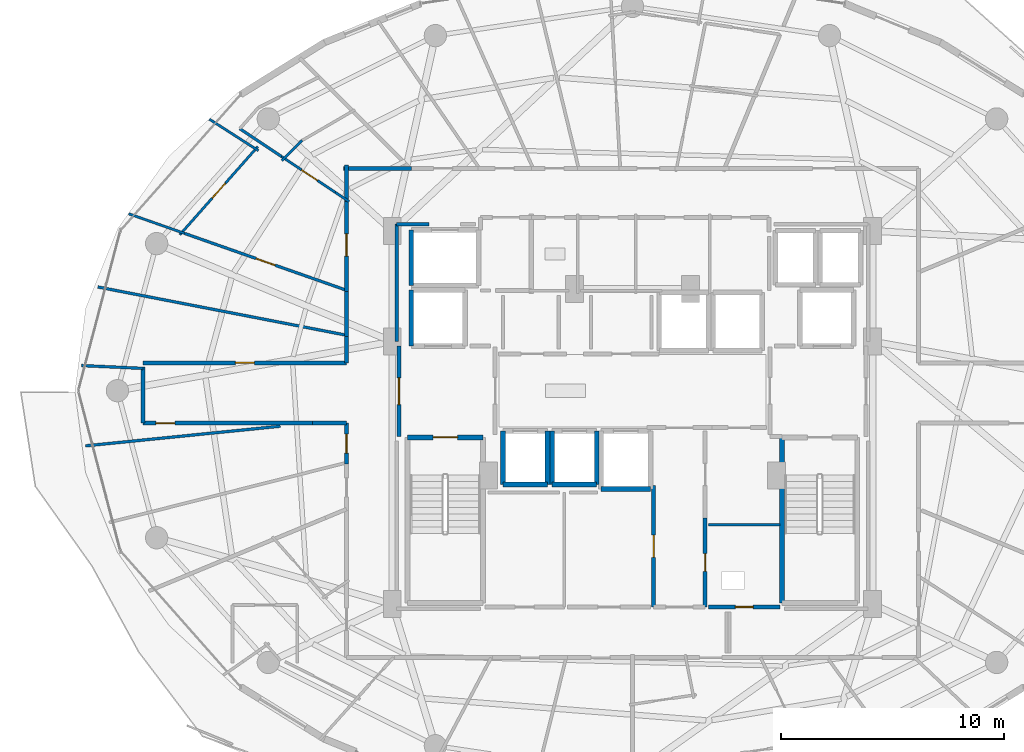
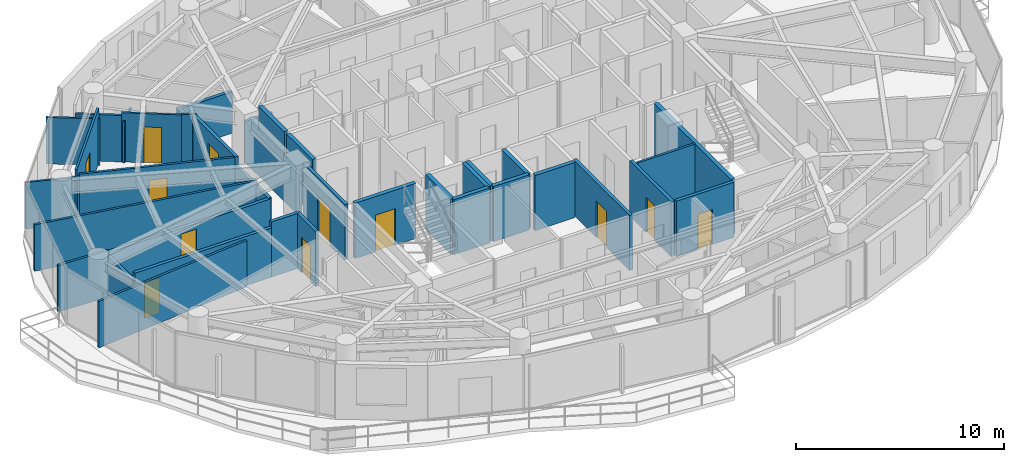
# One storey, part 21 of 28: 39 walls, 12 doors, 12 openings.
"""IFC4 building model written with IfcOpenShell, lengths in metres."""

from ifc_helpers import new_model, si_unit, direction, frame, frame_2d, origin, place, context, subcontext, project, spatial, rectangle, extrude, material, layer, layer_set, type_object, element, fill, save


model = new_model("IFC4")

# Units and contexts
model_context = context("Model", 3, precision=1e-05, world=origin(), true_north=direction((0.0, 1.0)))
body_context = subcontext(model_context, "Body", "Model", "MODEL_VIEW")
ifc_project = project(units=[si_unit("LENGTHUNIT", "METRE"), si_unit("AREAUNIT", "SQUARE_METRE"), si_unit("VOLUMEUNIT", "CUBIC_METRE"), si_unit("PLANEANGLEUNIT", "RADIAN"), si_unit("MASSUNIT", "GRAM", prefix="KILO")], contexts=[model_context])

# Site, building, storey
site_placement = place(None, origin())
site = spatial("IfcSite", under=ifc_project, at=site_placement, CompositionType="ELEMENT")
building_placement = place(site_placement, origin())
building = spatial("IfcBuilding", under=site, at=building_placement, Name="Vorneva Point Tower", CompositionType="ELEMENT")
storey_placement = place(building_placement, frame((0.0, 0.0, 160.60009765625)))
storey = spatial("IfcBuildingStorey", under=building, at=storey_placement, Name="L43", CompositionType="ELEMENT", Elevation=160.60009765625)

# Wall
ifc_material_1 = material(Name="Concrete B60 (C50/60)", Category="concrete")
ifc_layer_1 = layer(ifc_material_1, 0.5)
ifc_layer_set_1 = layer_set([ifc_layer_1], Name="Concrete B60 (C50/60)")
wall_type_1 = type_object("IfcWallType", Name="WL-CORE-500", PredefinedType="SHEAR", material=ifc_layer_set_1)
wall_1_placement = place(storey_placement, frame((28.10009765625, 30.5, 0.0), z_axis=(0.0, 0.0, 1.0), x_axis=(0.0, -1.0, 0.0)))
element("IfcWall", 1, at=wall_1_placement, inside=storey, type_object=wall_type_1, Name="L43 Lift FFL1 Shaft Wall -X", PredefinedType="SHEAR", context=body_context, shape_type="SweptSolid", body=[
    extrude(rectangle(XDim=2.5, YDim=0.219970703125, at=frame_2d((1.25, 0.0))), origin(), (0.0, 0.0, 1.0), 3.239990234375),
])

# Wall, opening, door
ifc_material_2 = material(Name="Fire-rated acoustic gypsum stud partition", Category="gypsum")
ifc_layer_2 = layer(ifc_material_2, 0.110107421875)
ifc_layer_set_2 = layer_set([ifc_layer_2], Name="Fire-rated acoustic gypsum stud partition")
wall_type_2 = type_object("IfcWallType", Name="WL-PART-110", PredefinedType="PARTITIONING", material=ifc_layer_set_2)
wall_2_placement = place(storey_placement, frame((24.789794921875, 34.814697265625, 0.0), z_axis=(0.0, 0.0, 1.0), x_axis=(-0.831749793219, 0.555150683581, 0.0)))
wall_2 = element("IfcWall", 2, at=wall_2_placement, inside=storey, type_object=wall_type_2, Name="L43 Interior Partition 086", PredefinedType="PARTITIONING", context=body_context, shape_type="SweptSolid", body=[
    extrude(rectangle(XDim=3.0009765625, YDim=0.110107421875, at=frame_2d((1.50048828125, 0.0))), origin(), (0.0, 0.0, 1.0), 2.885986328125),
])
opening_1_placement = place(wall_2_placement, frame((1.068115234375, 0.0, 0.0)))
opening_1 = element("IfcOpeningElement", 3, at=opening_1_placement, cuts=wall_2, Name="Opening ID-02", PredefinedType="OPENING", context=body_context, shape_type="SweptSolid", body=[
    extrude(rectangle(XDim=0.85009765625, YDim=2.10009765625, at=frame_2d((0.425048828125, 1.050048828125))), frame((0.0, 0.06982421875, 0.0), z_axis=(0.0, -1.0, 0.0), x_axis=(1.0, 0.0, 0.0)), (0.0, 0.0, 1.0), 0.139892578125),
])
ifc_material_3 = material(Name="Engineered oak fire-rated door leaf", Category="wood")
door_type_1 = type_object("IfcDoorType", Name="DR-BATH-850", OperationType="NOTDEFINED", PredefinedType="DOOR", material=ifc_material_3)
door_1_placement = place(opening_1_placement, origin())
door_1 = element("IfcDoor", 4, at=door_1_placement, inside=storey, type_object=door_type_1, Name="L43 Door Living and Dining Room L43-02 / Bathroom L43-02", OperationType="SINGLE_SWING_LEFT", OverallHeight=2.10009765625, OverallWidth=0.85009765625, PredefinedType="DOOR", context=body_context, shape_type="SweptSolid", body=[
    extrude(rectangle(XDim=0.85009765625, YDim=2.10009765625, at=frame_2d((0.425048828125, 1.050048828125))), frame((0.0, 0.02490234375, 0.0), z_axis=(0.0, -1.0, 0.0), x_axis=(1.0, 0.0, 0.0)), (0.0, 0.0, 1.0), 0.050048828125),
])
fill(opening_1, door_1)

# Walls
wall_3_placement = place(storey_placement, frame((25.31640625, 34.46337890625, 0.0), z_axis=(0.0, 0.0, 1.0), x_axis=(-0.83179740502, 0.555079342979, 0.0)))
element("IfcWall", 5, at=wall_3_placement, inside=storey, type_object=wall_type_2, Name="L43 Interior Partition 087", PredefinedType="PARTITIONING", context=body_context, shape_type="SweptSolid", body=[
    extrude(rectangle(XDim=0.742919921875, YDim=0.110107421875, at=frame_2d((0.37158203125, 0.0))), origin(), (0.0, 0.0, 1.0), 2.928955078125),
])
wall_4_placement = place(storey_placement, frame((19.064208984375, 38.150634765625, 0.0), z_axis=(0.0, 0.0, 1.0), x_axis=(0.841644233319, -0.540032392104, 0.0)))
element("IfcWall", 6, at=wall_4_placement, inside=storey, type_object=wall_type_2, Name="L43 Interior Partition 088", PredefinedType="PARTITIONING", context=body_context, shape_type="SweptSolid", body=[
    extrude(rectangle(XDim=2.60400390625, YDim=0.110107421875, at=frame_2d((1.302001953125, 0.0))), origin(), (0.0, 0.0, 1.0), 2.727783203125),
])

# Wall, opening, door
wall_5_placement = place(storey_placement, frame((21.230712890625, 36.9248046875, 0.0), z_axis=(0.0, 0.0, 1.0), x_axis=(-0.662281895209, -0.749254757261, 0.0)))
wall_5 = element("IfcWall", 7, at=wall_5_placement, inside=storey, type_object=wall_type_2, Name="L43 Interior Partition 089", PredefinedType="PARTITIONING", context=body_context, shape_type="SweptSolid", body=[
    extrude(rectangle(XDim=5.268798828125, YDim=0.110107421875, at=frame_2d((2.63427734375, 0.0))), origin(), (0.0, 0.0, 1.0), 3.239990234375),
])
opening_2_placement = place(wall_5_placement, frame((2.184326171875, 0.0, 0.0)))
opening_2 = element("IfcOpeningElement", 8, at=opening_2_placement, cuts=wall_5, Name="Opening ID-01", PredefinedType="OPENING", context=body_context, shape_type="SweptSolid", body=[
    extrude(rectangle(XDim=0.89990234375, YDim=2.10009765625, at=frame_2d((0.449951171875, 1.050048828125))), frame((0.0, 0.06982421875, 0.0), z_axis=(0.0, -1.0, 0.0), x_axis=(1.0, 0.0, 0.0)), (0.0, 0.0, 1.0), 0.139892578125),
])
door_type_2 = type_object("IfcDoorType", Name="DR-ROOM-900", OperationType="NOTDEFINED", PredefinedType="DOOR", material=ifc_material_3)
door_2_placement = place(opening_2_placement, origin())
door_2 = element("IfcDoor", 9, at=door_2_placement, inside=storey, type_object=door_type_2, Name="L43 Door Living and Dining Room L43-02 / Kitchen L43-02", OperationType="SINGLE_SWING_RIGHT", OverallHeight=2.10009765625, OverallWidth=0.89990234375, PredefinedType="DOOR", context=body_context, shape_type="SweptSolid", body=[
    extrude(rectangle(XDim=0.89990234375, YDim=2.10009765625, at=frame_2d((0.449951171875, 1.050048828125))), frame((0.0, 0.02490234375, 0.0), z_axis=(0.0, -1.0, 0.0), x_axis=(1.0, 0.0, 0.0)), (0.0, 0.0, 1.0), 0.050048828125),
])
fill(opening_2, door_2)

# Walls
wall_6_placement = place(storey_placement, frame((17.966064453125, 33.03564453125, 0.0), z_axis=(0.0, 0.0, 1.0), x_axis=(-0.943523626292, 0.331305246909, 0.0)))
element("IfcWall", 10, at=wall_6_placement, inside=storey, type_object=wall_type_2, Name="L43 Interior Partition 090", PredefinedType="PARTITIONING", context=body_context, shape_type="SweptSolid", body=[
    extrude(rectangle(XDim=2.66455078125, YDim=0.110107421875, at=frame_2d((1.332275390625, 0.0))), origin(), (0.0, 0.0, 1.0), 2.727783203125),
])
wall_7_placement = place(storey_placement, frame((23.212646484375, 37.19677734375, 0.0), z_axis=(0.0, 0.0, 1.0), x_axis=(-0.711040657556, -0.703150896538, 0.0)))
element("IfcWall", 11, at=wall_7_placement, inside=storey, type_object=wall_type_2, Name="L43 Interior Partition 096", PredefinedType="PARTITIONING", context=body_context, shape_type="SweptSolid", body=[
    extrude(rectangle(XDim=1.268798828125, YDim=0.110107421875, at=frame_2d((0.63427734375, 0.0))), origin(), (0.0, 0.0, 1.0), 2.431884765625),
])
ifc_layer_3 = layer(ifc_material_2, 0.125)
ifc_layer_set_3 = layer_set([ifc_layer_3], Name="Fire-rated acoustic gypsum stud partition")
wall_type_3 = type_object("IfcWallType", Name="WL-PART-125", PredefinedType="PARTITIONING", material=ifc_layer_set_3)
wall_8_placement = place(storey_placement, frame((44.60009765625, 20.0, 0.0), z_axis=(0.0, 0.0, 1.0), x_axis=(-1.0, 0.0, 0.0)))
element("IfcWall", 12, at=wall_8_placement, inside=storey, type_object=wall_type_3, Name="L43 Interior Partition 018", PredefinedType="PARTITIONING", context=body_context, shape_type="SweptSolid", body=[
    extrude(rectangle(XDim=3.2001953125, YDim=0.125, at=frame_2d((1.60009765625, 0.0))), origin(), (0.0, 0.0, 1.0), 3.239990234375),
])
wall_9_placement = place(storey_placement, frame((22.293701171875, 36.480712890625, 0.0), z_axis=(0.0, 0.0, 1.0), x_axis=(-0.831732018696, 0.555177313186, 0.0)))
element("IfcWall", 13, at=wall_9_placement, inside=storey, type_object=wall_type_3, Name="L43 Interior Partition 091", PredefinedType="PARTITIONING", context=body_context, shape_type="SweptSolid", body=[
    extrude(rectangle(XDim=2.2431640625, YDim=0.125, at=frame_2d((1.12158203125, 0.0))), origin(), (0.0, 0.0, 1.0), 2.727783203125),
])

# Wall, opening, door
wall_10_placement = place(storey_placement, frame((17.966064453125, 33.035400390625, 0.0), z_axis=(0.0, 0.0, 1.0), x_axis=(0.943515303593, -0.331328948157, 0.0)))
wall_10 = element("IfcWall", 14, at=wall_10_placement, inside=storey, type_object=wall_type_3, Name="L43 Interior Partition 094", PredefinedType="PARTITIONING", context=body_context, shape_type="SweptSolid", body=[
    extrude(rectangle(XDim=7.6669921875, YDim=0.125, at=frame_2d((3.83349609375, 0.0))), origin(), (0.0, 0.0, 1.0), 2.885986328125),
])
opening_3_placement = place(wall_10_placement, frame((3.383544921875, 0.0, 0.0)))
opening_3 = element("IfcOpeningElement", 15, at=opening_3_placement, cuts=wall_10, Name="Opening ID-01", PredefinedType="OPENING", context=body_context, shape_type="SweptSolid", body=[
    extrude(rectangle(XDim=0.89990234375, YDim=2.10009765625, at=frame_2d((0.449951171875, 1.050048828125))), frame((0.0, 0.077392578125, 0.0), z_axis=(0.0, -1.0, 0.0), x_axis=(1.0, 0.0, 0.0)), (0.0, 0.0, 1.0), 0.15478515625),
])
door_3_placement = place(opening_3_placement, origin())
door_3 = element("IfcDoor", 16, at=door_3_placement, inside=storey, type_object=door_type_2, Name="L43 Door Living and Dining Room L43-02 / Master Bedroom L43-02.1", OperationType="SINGLE_SWING_RIGHT", OverallHeight=2.10009765625, OverallWidth=0.89990234375, PredefinedType="DOOR", context=body_context, shape_type="SweptSolid", body=[
    extrude(rectangle(XDim=0.89990234375, YDim=2.10009765625, at=frame_2d((0.449951171875, 1.050048828125))), frame((0.0, 0.02490234375, 0.0), z_axis=(0.0, -1.0, 0.0), x_axis=(1.0, 0.0, 0.0)), (0.0, 0.0, 1.0), 0.050048828125),
])
fill(opening_3, door_3)

# Walls
wall_11_placement = place(storey_placement, frame((14.073974609375, 30.64208984375, 0.0), z_axis=(0.0, 0.0, 1.0), x_axis=(0.981684833641, -0.190512171261, 0.0)))
element("IfcWall", 17, at=wall_11_placement, inside=storey, type_object=wall_type_3, Name="L43 Interior Partition 097", PredefinedType="PARTITIONING", context=body_context, shape_type="SweptSolid", body=[
    extrude(rectangle(XDim=11.33349609375, YDim=0.125, at=frame_2d((5.666748046875, 0.0))), origin(), (0.0, 0.0, 1.0), 2.727783203125),
])
wall_12_placement = place(storey_placement, frame((13.346923828125, 27.1240234375, 0.0), z_axis=(0.0, 0.0, 1.0), x_axis=(0.998954796292, -0.045709024997, 0.0)))
element("IfcWall", 18, at=wall_12_placement, inside=storey, type_object=wall_type_3, Name="L43 Interior Partition 098", PredefinedType="PARTITIONING", context=body_context, shape_type="SweptSolid", body=[
    extrude(rectangle(XDim=2.756103515625, YDim=0.125, at=frame_2d((1.3779296875, 0.0))), origin(), (0.0, 0.0, 1.0), 2.727783203125),
])
wall_13_placement = place(storey_placement, frame((13.52197265625, 23.531005859375, 0.0), z_axis=(0.0, 0.0, 1.0), x_axis=(0.994953222339, 0.100339849299, 0.0)))
element("IfcWall", 19, at=wall_13_placement, inside=storey, type_object=wall_type_3, Name="L43 Interior Partition 099", PredefinedType="PARTITIONING", context=body_context, shape_type="SweptSolid", body=[
    extrude(rectangle(XDim=8.75927734375, YDim=0.125, at=frame_2d((4.379638671875, 0.0))), origin(), (0.0, 0.0, 1.0), 2.727783203125),
])
ifc_layer_4 = layer(ifc_material_2, 0.139892578125)
ifc_layer_set_4 = layer_set([ifc_layer_4], Name="Fire-rated acoustic gypsum stud partition")
wall_type_4 = type_object("IfcWallType", Name="WL-PART-140", PredefinedType="PARTITIONING", material=ifc_layer_set_4)
wall_14_placement = place(storey_placement, frame((28.89404296875, 33.449951171875, 0.0), z_axis=(0.0, 0.0, 1.0), x_axis=(-1.0, 0.0, 0.0)))
element("IfcWall", 20, at=wall_14_placement, inside=storey, type_object=wall_type_4, Name="L43 Interior Closure Partition 144", PredefinedType="PARTITIONING", context=body_context, shape_type="SweptSolid", body=[
    extrude(rectangle(XDim=1.444091796875, YDim=0.139892578125, at=frame_2d((0.72216796875, 0.0))), origin(), (0.0, 0.0, 1.0), 2.431884765625),
])
wall_15_placement = place(storey_placement, frame((27.449951171875, 33.449951171875, 0.0), z_axis=(0.0, 0.0, 1.0), x_axis=(0.0, -1.0, 0.0)))
element("IfcWall", 21, at=wall_15_placement, inside=storey, type_object=wall_type_4, Name="L43 Interior Closure Partition 145", PredefinedType="PARTITIONING", context=body_context, shape_type="SweptSolid", body=[
    extrude(rectangle(XDim=5.25390625, YDim=0.139892578125, at=frame_2d((2.626953125, 0.0))), origin(), (0.0, 0.0, 1.0), 2.431884765625),
])

# Wall, opening, door
ifc_material_4 = material(Name="Autoclaved aerated concrete blockwork", Category="masonry")
ifc_layer_5 = layer(ifc_material_4, 0.179931640625)
ifc_layer_set_5 = layer_set([ifc_layer_5], Name="Autoclaved aerated concrete blockwork")
wall_type_5 = type_object("IfcWallType", Name="WL-PART-180", PredefinedType="PARTITIONING", material=ifc_layer_set_5)
wall_16_placement = place(storey_placement, frame((27.550048828125, 28.0, 0.0), z_axis=(0.0, 0.0, 1.0), x_axis=(0.0, -1.0, 0.0)))
wall_16 = element("IfcWall", 22, at=wall_16_placement, inside=storey, type_object=wall_type_5, Name="L43 Interior Partition 002", PredefinedType="PARTITIONING", context=body_context, shape_type="SweptSolid", body=[
    extrude(rectangle(XDim=4.050048828125, YDim=0.179931640625, at=frame_2d((2.02490234375, 0.0))), origin(), (0.0, 0.0, 1.0), 3.239990234375),
])
opening_4_placement = place(wall_16_placement, frame((1.425048828125, 0.0, 0.0)))
opening_4 = element("IfcOpeningElement", 23, at=opening_4_placement, cuts=wall_16, Name="Opening FD-02", PredefinedType="OPENING", context=body_context, shape_type="SweptSolid", body=[
    extrude(rectangle(XDim=1.199951171875, YDim=2.14990234375, at=frame_2d((0.60009765625, 1.074951171875))), frame((0.0, 0.10498046875, 0.0), z_axis=(0.0, -1.0, 0.0), x_axis=(1.0, 0.0, 0.0)), (0.0, 0.0, 1.0), 0.209716796875),
])
ifc_material_5 = material(Name="Fire-rated powder-coated steel", Category="steel")
door_type_3 = type_object("IfcDoorType", Name="DR-FFL-1200", OperationType="NOTDEFINED", PredefinedType="DOOR", material=ifc_material_5)
door_4_placement = place(opening_4_placement, origin())
door_4 = element("IfcDoor", 24, at=door_4_placement, inside=storey, type_object=door_type_3, Name="L43 Door West Firefighting Lobby / L43 Circulation Corridor", OperationType="SINGLE_SWING_RIGHT", OverallHeight=2.14990234375, OverallWidth=1.199951171875, PredefinedType="DOOR", context=body_context, shape_type="SweptSolid", body=[
    extrude(rectangle(XDim=1.199951171875, YDim=2.14990234375, at=frame_2d((0.60009765625, 1.074951171875))), frame((0.0, 0.02490234375, 0.0), z_axis=(0.0, -1.0, 0.0), x_axis=(1.0, 0.0, 0.0)), (0.0, 0.0, 1.0), 0.050048828125),
])
fill(opening_4, door_4)

wall_17_placement = place(storey_placement, frame((41.25, 16.320068359375, 0.0), z_axis=(0.0, 0.0, 1.0), x_axis=(0.0, 1.0, 0.0)))
wall_17 = element("IfcWall", 25, at=wall_17_placement, inside=storey, type_object=wall_type_5, Name="L43 Interior Partition 014", PredefinedType="PARTITIONING", context=body_context, shape_type="SweptSolid", body=[
    extrude(rectangle(XDim=3.98486328125, YDim=0.179931640625, at=frame_2d((1.992431640625, 0.0))), origin(), (0.0, 0.0, 1.0), 3.239990234375),
])
opening_5_placement = place(wall_17_placement, frame((1.592529296875, 0.0, 0.0)))
opening_5 = element("IfcOpeningElement", 26, at=opening_5_placement, cuts=wall_17, Name="Opening RD-01", PredefinedType="OPENING", context=body_context, shape_type="SweptSolid", body=[
    extrude(rectangle(XDim=0.800048828125, YDim=2.050048828125, at=frame_2d((0.39990234375, 1.02490234375))), frame((0.0, 0.10498046875, 0.0), z_axis=(0.0, -1.0, 0.0), x_axis=(1.0, 0.0, 0.0)), (0.0, 0.0, 1.0), 0.209716796875),
])
door_type_4 = type_object("IfcDoorType", Name="DR-RSR-800", OperationType="SINGLE_SWING_LEFT", PredefinedType="DOOR", material=ifc_material_5)
door_5_placement = place(opening_5_placement, origin())
door_5 = element("IfcDoor", 27, at=door_5_placement, inside=storey, type_object=door_type_4, Name="L43 Door Core Service Lobby / Electrical Riser", OperationType="SINGLE_SWING_RIGHT", OverallHeight=2.050048828125, OverallWidth=0.800048828125, PredefinedType="DOOR", context=body_context, shape_type="SweptSolid", body=[
    extrude(rectangle(XDim=0.800048828125, YDim=2.050048828125, at=frame_2d((0.39990234375, 1.02490234375))), frame((0.0, 0.02490234375, 0.0), z_axis=(0.0, -1.0, 0.0), x_axis=(1.0, 0.0, 0.0)), (0.0, 0.0, 1.0), 0.050048828125),
])
fill(opening_5, door_5)

wall_18_placement = place(storey_placement, frame((38.949951171875, 21.7548828125, 0.0), z_axis=(0.0, 0.0, 1.0), x_axis=(0.0, -1.0, 0.0)))
wall_18 = element("IfcWall", 28, at=wall_18_placement, inside=storey, type_object=wall_type_5, Name="L43 Interior Partition 016", PredefinedType="PARTITIONING", context=body_context, shape_type="SweptSolid", body=[
    extrude(rectangle(XDim=5.434814453125, YDim=0.179931640625, at=frame_2d((2.71728515625, 0.0))), origin(), (0.0, 0.0, 1.0), 3.239990234375),
])
opening_6_placement = place(wall_18_placement, frame((2.217529296875, 0.0, 0.0)))
opening_6 = element("IfcOpeningElement", 29, at=opening_6_placement, cuts=wall_18, Name="Opening UD-01", PredefinedType="OPENING", context=body_context, shape_type="SweptSolid", body=[
    extrude(rectangle(XDim=1.0, YDim=2.14990234375, at=frame_2d((0.5, 1.074951171875))), frame((0.0, 0.10498046875, 0.0), z_axis=(0.0, -1.0, 0.0), x_axis=(1.0, 0.0, 0.0)), (0.0, 0.0, 1.0), 0.209716796875),
])
door_type_5 = type_object("IfcDoorType", Name="DR-UNIT-1000", OperationType="NOTDEFINED", PredefinedType="DOOR", material=ifc_material_3)
door_6_placement = place(opening_6_placement, origin())
door_6 = element("IfcDoor", 30, at=door_6_placement, inside=storey, type_object=door_type_5, Name="L43 Door Core Service Lobby / Staff Service Pantry", OperationType="SINGLE_SWING_RIGHT", OverallHeight=2.14990234375, OverallWidth=1.0, PredefinedType="DOOR", context=body_context, shape_type="SweptSolid", body=[
    extrude(rectangle(XDim=1.0, YDim=2.14990234375, at=frame_2d((0.5, 1.074951171875))), frame((0.0, 0.02490234375, 0.0), z_axis=(0.0, -1.0, 0.0), x_axis=(1.0, 0.0, 0.0)), (0.0, 0.0, 1.0), 0.050048828125),
])
fill(opening_6, door_6)

wall_19_placement = place(storey_placement, frame((41.39990234375, 16.320068359375, 0.0), z_axis=(0.0, 0.0, 1.0), x_axis=(1.0, 0.0, 0.0)))
wall_19 = element("IfcWall", 31, at=wall_19_placement, inside=storey, type_object=wall_type_5, Name="L43 Interior Partition 019", PredefinedType="PARTITIONING", context=body_context, shape_type="SweptSolid", body=[
    extrude(rectangle(XDim=3.2001953125, YDim=0.179931640625, at=frame_2d((1.60009765625, 0.0))), origin(), (0.0, 0.0, 1.0), 3.239990234375),
])
opening_7_placement = place(wall_19_placement, frame((1.199951171875, 0.0, 0.0)))
opening_7 = element("IfcOpeningElement", 32, at=opening_7_placement, cuts=wall_19, Name="Opening RD-01", PredefinedType="OPENING", context=body_context, shape_type="SweptSolid", body=[
    extrude(rectangle(XDim=0.800048828125, YDim=2.050048828125, at=frame_2d((0.39990234375, 1.02490234375))), frame((0.0, 0.10498046875, 0.0), z_axis=(0.0, -1.0, 0.0), x_axis=(1.0, 0.0, 0.0)), (0.0, 0.0, 1.0), 0.209716796875),
])
door_7_placement = place(opening_7_placement, origin())
door_7 = element("IfcDoor", 33, at=door_7_placement, inside=storey, type_object=door_type_4, Name="L43 Door Electrical Riser / L43 Circulation Corridor", OperationType="SINGLE_SWING_RIGHT", OverallHeight=2.050048828125, OverallWidth=0.800048828125, PredefinedType="DOOR", context=body_context, shape_type="SweptSolid", body=[
    extrude(rectangle(XDim=0.800048828125, YDim=2.050048828125, at=frame_2d((0.39990234375, 1.02490234375))), frame((0.0, 0.02490234375, 0.0), z_axis=(0.0, -1.0, 0.0), x_axis=(1.0, 0.0, 0.0)), (0.0, 0.0, 1.0), 0.050048828125),
])
fill(opening_7, door_7)

wall_20_placement = place(storey_placement, frame((25.199951171875, 34.613037109375, 0.0), z_axis=(0.0, 0.0, 1.0), x_axis=(0.0, -1.0, 0.0)))
wall_20 = element("IfcWall", 34, at=wall_20_placement, inside=storey, type_object=wall_type_5, Name="L43 Interior Partition 040", PredefinedType="PARTITIONING", context=body_context, shape_type="SweptSolid", body=[
    extrude(rectangle(XDim=4.177978515625, YDim=0.179931640625, at=frame_2d((2.0888671875, 0.0))), origin(), (0.0, 0.0, 1.0), 2.928955078125),
])
opening_8_placement = place(wall_20_placement, frame((1.589111328125, 0.0, 0.0)))
opening_8 = element("IfcOpeningElement", 35, at=opening_8_placement, cuts=wall_20, Name="Opening UD-01", PredefinedType="OPENING", context=body_context, shape_type="SweptSolid", body=[
    extrude(rectangle(XDim=1.0, YDim=2.14990234375, at=frame_2d((0.5, 1.074951171875))), frame((0.0, 0.10498046875, 0.0), z_axis=(0.0, -1.0, 0.0), x_axis=(1.0, 0.0, 0.0)), (0.0, 0.0, 1.0), 0.209716796875),
])
door_8_placement = place(opening_8_placement, origin())
door_8 = element("IfcDoor", 36, at=door_8_placement, inside=storey, type_object=door_type_5, Name="L43 Door L43 Circulation Corridor / Living and Dining Room L43-02", OperationType="SINGLE_SWING_RIGHT", OverallHeight=2.14990234375, OverallWidth=1.0, PredefinedType="DOOR", context=body_context, shape_type="SweptSolid", body=[
    extrude(rectangle(XDim=1.0, YDim=2.14990234375, at=frame_2d((0.5, 1.074951171875))), frame((0.0, 0.02490234375, 0.0), z_axis=(0.0, -1.0, 0.0), x_axis=(1.0, 0.0, 0.0)), (0.0, 0.0, 1.0), 0.050048828125),
])
fill(opening_8, door_8)

# Walls
wall_21_placement = place(storey_placement, frame((28.10498046875, 35.949951171875, 0.0), z_axis=(0.0, 0.0, 1.0), x_axis=(-1.0, 0.0, 0.0)))
element("IfcWall", 37, at=wall_21_placement, inside=storey, type_object=wall_type_5, Name="L43 Interior Partition 041", PredefinedType="PARTITIONING", context=body_context, shape_type="SweptSolid", body=[
    extrude(rectangle(XDim=3.044921875, YDim=0.179931640625, at=frame_2d((1.5224609375, 0.0))), origin(), (0.0, 0.0, 1.0), 2.431884765625),
])
wall_22_placement = place(storey_placement, frame((25.199951171875, 36.090087890625, 0.0), z_axis=(0.0, 0.0, 1.0), x_axis=(0.0, -1.0, 0.0)))
element("IfcWall", 38, at=wall_22_placement, inside=storey, type_object=wall_type_5, Name="L43 Interior Partition 042", PredefinedType="PARTITIONING", context=body_context, shape_type="SweptSolid", body=[
    extrude(rectangle(XDim=1.6171875, YDim=0.179931640625, at=frame_2d((0.80859375, 0.0))), origin(), (0.0, 0.0, 1.0), 2.431884765625),
])
wall_23_placement = place(storey_placement, frame((25.199951171875, 30.43505859375, 0.0), z_axis=(0.0, 0.0, 1.0), x_axis=(0.0, -1.0, 0.0)))
element("IfcWall", 39, at=wall_23_placement, inside=storey, type_object=wall_type_5, Name="L43 Interior Partition 043", PredefinedType="PARTITIONING", context=body_context, shape_type="SweptSolid", body=[
    extrude(rectangle(XDim=2.011962890625, YDim=0.179931640625, at=frame_2d((1.005859375, 0.0))), origin(), (0.0, 0.0, 1.0), 2.431884765625),
])
wall_24_placement = place(storey_placement, frame((25.199951171875, 28.423095703125, 0.0), z_axis=(0.0, 0.0, 1.0), x_axis=(0.0, -1.0, 0.0)))
element("IfcWall", 40, at=wall_24_placement, inside=storey, type_object=wall_type_5, Name="L43 Interior Partition 044", PredefinedType="PARTITIONING", context=body_context, shape_type="SweptSolid", body=[
    extrude(rectangle(XDim=1.173095703125, YDim=0.179931640625, at=frame_2d((0.58642578125, 0.0))), origin(), (0.0, 0.0, 1.0), 2.431884765625),
])

# Wall, opening, door
wall_25_placement = place(storey_placement, frame((25.199951171875, 27.25, 0.0), z_axis=(0.0, 0.0, 1.0), x_axis=(-1.0, 0.0, 0.0)))
wall_25 = element("IfcWall", 41, at=wall_25_placement, inside=storey, type_object=wall_type_5, Name="L43 Interior Partition 045", PredefinedType="PARTITIONING", context=body_context, shape_type="SweptSolid", body=[
    extrude(rectangle(XDim=9.099853515625, YDim=0.179931640625, at=frame_2d((4.5498046875, 0.0))), origin(), (0.0, 0.0, 1.0), 2.431884765625),
])
opening_9_placement = place(wall_25_placement, frame((4.125, 0.0, 0.0)))
opening_9 = element("IfcOpeningElement", 42, at=opening_9_placement, cuts=wall_25, Name="Opening ID-02", PredefinedType="OPENING", context=body_context, shape_type="SweptSolid", body=[
    extrude(rectangle(XDim=0.85009765625, YDim=2.10009765625, at=frame_2d((0.425048828125, 1.050048828125))), frame((0.0, 0.10498046875, 0.0), z_axis=(0.0, -1.0, 0.0), x_axis=(1.0, 0.0, 0.0)), (0.0, 0.0, 1.0), 0.209716796875),
])
door_9_placement = place(opening_9_placement, origin())
door_9 = element("IfcDoor", 43, at=door_9_placement, inside=storey, type_object=door_type_1, Name="L43 Access Door L43 Circulation Corridor", OperationType="SINGLE_SWING_LEFT", OverallHeight=2.10009765625, OverallWidth=0.85009765625, PredefinedType="DOOR", context=body_context, shape_type="SweptSolid", body=[
    extrude(rectangle(XDim=0.85009765625, YDim=2.10009765625, at=frame_2d((0.425048828125, 1.050048828125))), frame((0.0, 0.02490234375, 0.0), z_axis=(0.0, -1.0, 0.0), x_axis=(1.0, 0.0, 0.0)), (0.0, 0.0, 1.0), 0.050048828125),
])
fill(opening_9, door_9)

# Wall
wall_26_placement = place(storey_placement, frame((16.10009765625, 27.05810546875, 0.0), z_axis=(0.0, 0.0, 1.0), x_axis=(0.0, -1.0, 0.0)))
element("IfcWall", 44, at=wall_26_placement, inside=storey, type_object=wall_type_5, Name="L43 Interior Partition 046", PredefinedType="PARTITIONING", context=body_context, shape_type="SweptSolid", body=[
    extrude(rectangle(XDim=2.508056640625, YDim=0.179931640625, at=frame_2d((1.25390625, 0.0))), origin(), (0.0, 0.0, 1.0), 2.431884765625),
])

# Wall, opening, door
wall_27_placement = place(storey_placement, frame((16.10009765625, 24.550048828125, 0.0), z_axis=(0.0, 0.0, 1.0), x_axis=(1.0, 0.0, 0.0)))
wall_27 = element("IfcWall", 45, at=wall_27_placement, inside=storey, type_object=wall_type_5, Name="L43 Interior Partition 047", PredefinedType="PARTITIONING", context=body_context, shape_type="SweptSolid", body=[
    extrude(rectangle(XDim=7.5849609375, YDim=0.179931640625, at=frame_2d((3.79248046875, 0.0))), origin(), (0.0, 0.0, 1.0), 2.885986328125),
])
opening_10_placement = place(wall_27_placement, frame((0.5673828125, 0.0, 0.0)))
opening_10 = element("IfcOpeningElement", 46, at=opening_10_placement, cuts=wall_27, Name="Opening ID-02", PredefinedType="OPENING", context=body_context, shape_type="SweptSolid", body=[
    extrude(rectangle(XDim=0.85009765625, YDim=2.10009765625, at=frame_2d((0.425048828125, 1.050048828125))), frame((0.0, 0.10498046875, 0.0), z_axis=(0.0, -1.0, 0.0), x_axis=(1.0, 0.0, 0.0)), (0.0, 0.0, 1.0), 0.209716796875),
])
door_10_placement = place(opening_10_placement, origin())
door_10 = element("IfcDoor", 47, at=door_10_placement, inside=storey, type_object=door_type_1, Name="L43 Access Door L43 Circulation Corridor", OperationType="SINGLE_SWING_RIGHT", OverallHeight=2.10009765625, OverallWidth=0.85009765625, PredefinedType="DOOR", context=body_context, shape_type="SweptSolid", body=[
    extrude(rectangle(XDim=0.85009765625, YDim=2.10009765625, at=frame_2d((0.425048828125, 1.050048828125))), frame((0.0, 0.02490234375, 0.0), z_axis=(0.0, -1.0, 0.0), x_axis=(1.0, 0.0, 0.0)), (0.0, 0.0, 1.0), 0.050048828125),
])
fill(opening_10, door_10)

# Wall
wall_28_placement = place(storey_placement, frame((23.68505859375, 24.550048828125, 0.0), z_axis=(0.0, 0.0, 1.0), x_axis=(1.0, 0.0, 0.0)))
element("IfcWall", 48, at=wall_28_placement, inside=storey, type_object=wall_type_5, Name="L43 Interior Partition 048", PredefinedType="PARTITIONING", context=body_context, shape_type="SweptSolid", body=[
    extrude(rectangle(XDim=1.514892578125, YDim=0.179931640625, at=frame_2d((0.75732421875, 0.0))), origin(), (0.0, 0.0, 1.0), 3.239990234375),
])

# Wall, opening, door
wall_29_placement = place(storey_placement, frame((25.199951171875, 24.550048828125, 0.0), z_axis=(0.0, 0.0, 1.0), x_axis=(0.0, -1.0, 0.0)))
wall_29 = element("IfcWall", 49, at=wall_29_placement, inside=storey, type_object=wall_type_5, Name="L43 Interior Partition 049", PredefinedType="PARTITIONING", context=body_context, shape_type="SweptSolid", body=[
    extrude(rectangle(XDim=1.833984375, YDim=0.179931640625, at=frame_2d((0.9169921875, 0.0))), origin(), (0.0, 0.0, 1.0), 3.239990234375),
])
opening_11_placement = place(wall_29_placement, frame((0.491943359375, 0.0, 0.0)))
opening_11 = element("IfcOpeningElement", 50, at=opening_11_placement, cuts=wall_29, Name="Opening ID-02", PredefinedType="OPENING", context=body_context, shape_type="SweptSolid", body=[
    extrude(rectangle(XDim=0.85009765625, YDim=2.10009765625, at=frame_2d((0.425048828125, 1.050048828125))), frame((0.0, 0.10498046875, 0.0), z_axis=(0.0, -1.0, 0.0), x_axis=(1.0, 0.0, 0.0)), (0.0, 0.0, 1.0), 0.209716796875),
])
door_11_placement = place(opening_11_placement, origin())
door_11 = element("IfcDoor", 51, at=door_11_placement, inside=storey, type_object=door_type_1, Name="L43 Access Door L43 Circulation Corridor", OperationType="SINGLE_SWING_LEFT", OverallHeight=2.10009765625, OverallWidth=0.85009765625, PredefinedType="DOOR", context=body_context, shape_type="SweptSolid", body=[
    extrude(rectangle(XDim=0.85009765625, YDim=2.10009765625, at=frame_2d((0.425048828125, 1.050048828125))), frame((0.0, 0.02490234375, 0.0), z_axis=(0.0, -1.0, 0.0), x_axis=(1.0, 0.0, 0.0)), (0.0, 0.0, 1.0), 0.050048828125),
])
fill(opening_11, door_11)

ifc_material_6 = material(Name="Concrete B50 (C40/50)", Category="concrete")
ifc_layer_6 = layer(ifc_material_6, 0.219970703125)
ifc_layer_set_6 = layer_set([ifc_layer_6], Name="Concrete B50 (C40/50)")
wall_type_6 = type_object("IfcWallType", Name="WL-SHFT-220", PredefinedType="SOLIDWALL", material=ifc_layer_set_6)
wall_30_placement = place(storey_placement, frame((27.93994140625, 23.909912109375, 0.0), z_axis=(0.0, 0.0, 1.0), x_axis=(1.0, 0.0, 0.0)))
wall_30 = element("IfcWall", 52, at=wall_30_placement, inside=storey, type_object=wall_type_6, Name="L43 Exit Stair ST1 Shaft Wall near", PredefinedType="SOLIDWALL", context=body_context, shape_type="SweptSolid", body=[
    extrude(rectangle(XDim=3.3701171875, YDim=0.219970703125, at=frame_2d((1.68505859375, 0.0))), origin(), (0.0, 0.0, 1.0), 3.239990234375),
])
opening_12_placement = place(wall_30_placement, frame((1.135009765625, 0.0, 0.0)))
opening_12 = element("IfcOpeningElement", 53, at=opening_12_placement, cuts=wall_30, Name="Opening FD-01", PredefinedType="OPENING", context=body_context, shape_type="SweptSolid", body=[
    extrude(rectangle(XDim=1.10009765625, YDim=2.14990234375, at=frame_2d((0.550048828125, 1.074951171875))), frame((0.0, 0.125, 0.0), z_axis=(0.0, -1.0, 0.0), x_axis=(1.0, 0.0, 0.0)), (0.0, 0.0, 1.0), 0.249755859375),
])
door_type_6 = type_object("IfcDoorType", Name="DR-STAIR-1100", OperationType="NOTDEFINED", PredefinedType="DOOR", material=ifc_material_5)
door_12_placement = place(opening_12_placement, origin())
door_12 = element("IfcDoor", 54, at=door_12_placement, inside=storey, type_object=door_type_6, Name="L43 Exit Stair ST1 Fire Door", OperationType="SINGLE_SWING_LEFT", OverallHeight=2.14990234375, OverallWidth=1.10009765625, PredefinedType="DOOR", context=body_context, shape_type="SweptSolid", body=[
    extrude(rectangle(XDim=1.10009765625, YDim=2.14990234375, at=frame_2d((0.550048828125, 1.074951171875))), frame((0.0, 0.02490234375, 0.0), z_axis=(0.0, -1.0, 0.0), x_axis=(1.0, 0.0, 0.0)), (0.0, 0.0, 1.0), 0.050048828125),
])
fill(opening_12, door_12)

# Walls
wall_31_placement = place(storey_placement, frame((44.68994140625, 16.489990234375, 0.0), z_axis=(0.0, 0.0, 1.0), x_axis=(0.0, 1.0, 0.0)))
element("IfcWall", 55, at=wall_31_placement, inside=storey, type_object=wall_type_6, Name="L43 Exit Stair ST2 Shaft Wall left", PredefinedType="SOLIDWALL", context=body_context, shape_type="SweptSolid", body=[
    extrude(rectangle(XDim=7.419921875, YDim=0.219970703125, at=frame_2d((3.7099609375, 0.0))), origin(), (0.0, 0.0, 1.0), 3.239990234375),
])
wall_32_placement = place(storey_placement, frame((32.199951171875, 21.800048828125, 0.0), z_axis=(0.0, 0.0, 1.0), x_axis=(1.0, 0.0, 0.0)))
element("IfcWall", 56, at=wall_32_placement, inside=storey, type_object=wall_type_6, Name="L43 Lift PL4 Shaft Wall -Y", PredefinedType="SOLIDWALL", context=body_context, shape_type="SweptSolid", body=[
    extrude(rectangle(XDim=2.0, YDim=0.219970703125, at=frame_2d((1.0, 0.0))), origin(), (0.0, 0.0, 1.0), 3.239990234375),
])
for number, where, z_axis, x_axis, name in (
    (57, (34.199951171875, 21.800048828125, 0.0), (0.0, 0.0, 1.0), (0.0, 1.0, 0.0), "L43 Lift PL4 Shaft Wall +X"),
    (58, (32.199951171875, 24.199951171875, 0.0), (0.0, 0.0, 1.0), (0.0, -1.0, 0.0), "L43 Lift PL4 Shaft Wall -X"),
):
    element("IfcWall", number, at=place(storey_placement, frame(where, z_axis=z_axis, x_axis=x_axis)), inside=storey, type_object=wall_type_6, Name=name, PredefinedType="SOLIDWALL", context=body_context, shape_type="SweptSolid", body=[
        extrude(rectangle(XDim=2.39990234375, YDim=0.219970703125, at=frame_2d((1.199951171875, 0.0))), origin(), (0.0, 0.0, 1.0), 3.239990234375),
    ])
wall_33_placement = place(storey_placement, frame((34.39990234375, 21.800048828125, 0.0), z_axis=(0.0, 0.0, 1.0), x_axis=(1.0, 0.0, 0.0)))
element("IfcWall", 59, at=wall_33_placement, inside=storey, type_object=wall_type_6, Name="L43 Lift PL5 Shaft Wall -Y", PredefinedType="SOLIDWALL", context=body_context, shape_type="SweptSolid", body=[
    extrude(rectangle(XDim=2.0, YDim=0.219970703125, at=frame_2d((1.0, 0.0))), origin(), (0.0, 0.0, 1.0), 3.239990234375),
])
for number, where, z_axis, x_axis, name in (
    (60, (36.39990234375, 21.800048828125, 0.0), (0.0, 0.0, 1.0), (0.0, 1.0, 0.0), "L43 Lift PL5 Shaft Wall +X"),
    (61, (34.39990234375, 24.199951171875, 0.0), (0.0, 0.0, 1.0), (0.0, -1.0, 0.0), "L43 Lift PL5 Shaft Wall -X"),
):
    element("IfcWall", number, at=place(storey_placement, frame(where, z_axis=z_axis, x_axis=x_axis)), inside=storey, type_object=wall_type_6, Name=name, PredefinedType="SOLIDWALL", context=body_context, shape_type="SweptSolid", body=[
        extrude(rectangle(XDim=2.39990234375, YDim=0.219970703125, at=frame_2d((1.199951171875, 0.0))), origin(), (0.0, 0.0, 1.0), 3.239990234375),
    ])
wall_34_placement = place(storey_placement, frame((36.60009765625, 21.60009765625, 0.0), z_axis=(0.0, 0.0, 1.0), x_axis=(1.0, 0.0, 0.0)))
element("IfcWall", 62, at=wall_34_placement, inside=storey, type_object=wall_type_6, Name="L43 Lift PL6 Shaft Wall -Y", PredefinedType="SOLIDWALL", context=body_context, shape_type="SweptSolid", body=[
    extrude(rectangle(XDim=2.199951171875, YDim=0.219970703125, at=frame_2d((1.10009765625, 0.0))), origin(), (0.0, 0.0, 1.0), 3.239990234375),
])
wall_35_placement = place(storey_placement, frame((28.10009765625, 33.199951171875, 0.0), z_axis=(0.0, 0.0, 1.0), x_axis=(0.0, -1.0, 0.0)))
element("IfcWall", 63, at=wall_35_placement, inside=storey, type_object=wall_type_6, Name="L43 Lift SVL1 Shaft Wall -X", PredefinedType="SOLIDWALL", context=body_context, shape_type="SweptSolid", body=[
    extrude(rectangle(XDim=2.5, YDim=0.219970703125, at=frame_2d((1.25, 0.0))), origin(), (0.0, 0.0, 1.0), 3.239990234375),
])

save(model, "model.ifc")
